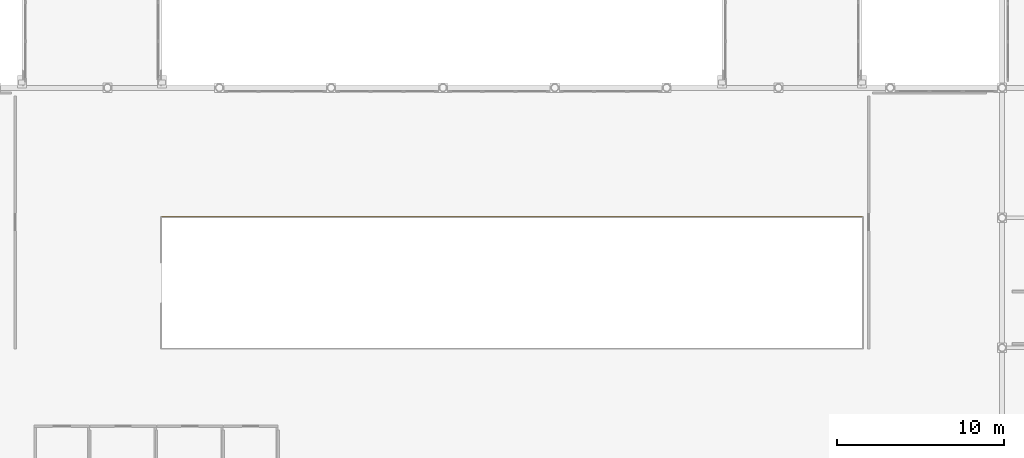
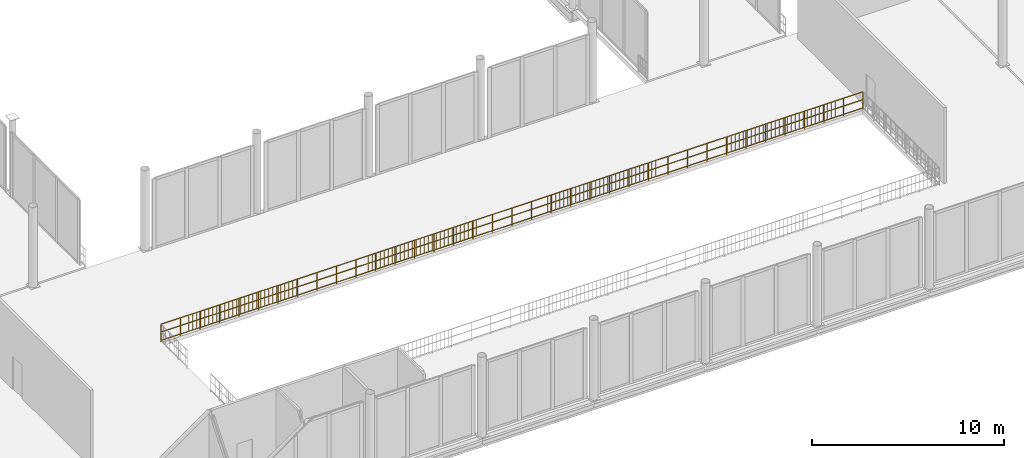
# One storey, part 97 of 105: 1 railing.
"""IFC4 building model written with IfcOpenShell, lengths in metres."""

from ifc_helpers import new_model, si_unit, direction, frame, origin, origin_2d, place, context, subcontext, project, spatial, circle, extrude, material, layer, layer_set, type_object, element, save


model = new_model("IFC4")

# Units and contexts
model_context = context("Model", 3, precision=1e-05, world=origin(), true_north=direction((0.0, 1.0)))
body_context = subcontext(model_context, "Body", "Model", "MODEL_VIEW")
ifc_project = project(units=[si_unit("LENGTHUNIT", "METRE"), si_unit("AREAUNIT", "SQUARE_METRE"), si_unit("VOLUMEUNIT", "CUBIC_METRE"), si_unit("PLANEANGLEUNIT", "RADIAN"), si_unit("MASSUNIT", "GRAM", prefix="KILO")], contexts=[model_context])

# Site, building, storey
site_placement = place(None, origin())
site = spatial("IfcSite", under=ifc_project, at=site_placement, CompositionType="ELEMENT")
building_placement = place(site_placement, origin())
building = spatial("IfcBuilding", under=site, at=building_placement, Name="Nabrawat Pavilion Hospital", CompositionType="ELEMENT")
storey_placement = place(building_placement, frame((0.0, 0.0, 5.10009765625)))
storey = spatial("IfcBuildingStorey", under=building, at=storey_placement, Name="L01", CompositionType="ELEMENT", Elevation=5.10009765625)

# Railing
ifc_material = material(Name="Laminated Toughened Glass and Stainless Steel", Category="steel")
ifc_layer = layer(ifc_material, 0.080078125, Name="Laminated Toughened Glass and Stainless Steel")
ifc_layer_set = layer_set([ifc_layer], Name="Laminated Toughened Glass and Stainless Steel")
railing_type = type_object("IfcRailingType", Name="Main Hall Atrium Void Glass Balustrade 1150", PredefinedType="BALUSTRADE", material=ifc_layer_set)
railing_placement = place(storey_placement, frame((75.5400390625, 31.260009765625, 0.0)))
element("IfcRailing", 1, at=railing_placement, inside=storey, type_object=railing_type, Name="L01 Main Hall Atrium Gallery Balustrade North", PredefinedType="BALUSTRADE", context=body_context, shape_type="SweptSolid", body=[
    extrude(circle(Radius=0.02392578125, at=origin_2d()), frame((0.0, 0.0, 1.1259765625), z_axis=(1.0, 0.0, 0.0), x_axis=(0.0, 1.0, 0.0)), (0.0, 0.0, 1.0), 42.119873046875),
    extrude(circle(Radius=0.02392578125, at=origin_2d()), frame((0.0, 0.0, 0.10009765625), z_axis=(1.0, 0.0, 0.0), x_axis=(0.0, 1.0, 0.0)), (0.0, 0.0, 1.0), 42.119873046875),
    extrude(circle(Radius=0.02392578125, at=origin_2d()), frame((0.0, 0.0, 0.63232421875), z_axis=(1.0, 0.0, 0.0), x_axis=(0.0, 1.0, 0.0)), (0.0, 0.0, 1.0), 42.119873046875),
    extrude(circle(Radius=0.008056640625, at=origin_2d()), frame((0.2392578125, 0.0, 0.10009765625)), (0.0, 0.0, 1.0), 1.001708984375),
    extrude(circle(Radius=0.008056640625, at=origin_2d()), frame((0.478515625, 0.0, 0.10009765625)), (0.0, 0.0, 1.0), 1.001708984375),
    extrude(circle(Radius=0.008056640625, at=origin_2d()), frame((0.718017578125, 0.0, 0.10009765625)), (0.0, 0.0, 1.0), 1.001708984375),
    extrude(circle(Radius=0.008056640625, at=origin_2d()), frame((0.957275390625, 0.0, 0.10009765625)), (0.0, 0.0, 1.0), 1.001708984375),
    extrude(circle(Radius=0.008056640625, at=origin_2d()), frame((1.435791015625, 0.0, 0.10009765625)), (0.0, 0.0, 1.0), 1.001708984375),
    extrude(circle(Radius=0.008056640625, at=origin_2d()), frame((1.67529296875, 0.0, 0.10009765625)), (0.0, 0.0, 1.0), 1.001708984375),
    extrude(circle(Radius=0.008056640625, at=origin_2d()), frame((1.91455078125, 0.0, 0.10009765625)), (0.0, 0.0, 1.0), 1.001708984375),
    extrude(circle(Radius=0.008056640625, at=origin_2d()), frame((2.15380859375, 0.0, 0.10009765625)), (0.0, 0.0, 1.0), 1.001708984375),
    extrude(circle(Radius=0.008056640625, at=origin_2d()), frame((2.39306640625, 0.0, 0.10009765625)), (0.0, 0.0, 1.0), 1.001708984375),
    extrude(circle(Radius=0.008056640625, at=origin_2d()), frame((2.632568359375, 0.0, 0.10009765625)), (0.0, 0.0, 1.0), 1.001708984375),
    extrude(circle(Radius=0.008056640625, at=origin_2d()), frame((2.871826171875, 0.0, 0.10009765625)), (0.0, 0.0, 1.0), 1.001708984375),
    extrude(circle(Radius=0.008056640625, at=origin_2d()), frame((3.111083984375, 0.0, 0.10009765625)), (0.0, 0.0, 1.0), 1.001708984375),
    extrude(circle(Radius=0.008056640625, at=origin_2d()), frame((3.350341796875, 0.0, 0.10009765625)), (0.0, 0.0, 1.0), 1.001708984375),
    extrude(circle(Radius=0.008056640625, at=origin_2d()), frame((3.58984375, 0.0, 0.10009765625)), (0.0, 0.0, 1.0), 1.001708984375),
    extrude(circle(Radius=0.008056640625, at=origin_2d()), frame((3.8291015625, 0.0, 0.10009765625)), (0.0, 0.0, 1.0), 1.001708984375),
    extrude(circle(Radius=0.008056640625, at=origin_2d()), frame((4.068359375, 0.0, 0.10009765625)), (0.0, 0.0, 1.0), 1.001708984375),
    extrude(circle(Radius=0.008056640625, at=origin_2d()), frame((4.3076171875, 0.0, 0.10009765625)), (0.0, 0.0, 1.0), 1.001708984375),
    extrude(circle(Radius=0.008056640625, at=origin_2d()), frame((4.547119140625, 0.0, 0.10009765625)), (0.0, 0.0, 1.0), 1.001708984375),
    extrude(circle(Radius=0.008056640625, at=origin_2d()), frame((4.786376953125, 0.0, 0.10009765625)), (0.0, 0.0, 1.0), 1.001708984375),
    extrude(circle(Radius=0.008056640625, at=origin_2d()), frame((5.025634765625, 0.0, 0.10009765625)), (0.0, 0.0, 1.0), 1.001708984375),
    extrude(circle(Radius=0.008056640625, at=origin_2d()), frame((5.264892578125, 0.0, 0.10009765625)), (0.0, 0.0, 1.0), 1.001708984375),
    extrude(circle(Radius=0.008056640625, at=origin_2d()), frame((5.50439453125, 0.0, 0.10009765625)), (0.0, 0.0, 1.0), 1.001708984375),
    extrude(circle(Radius=0.008056640625, at=origin_2d()), frame((5.74365234375, 0.0, 0.10009765625)), (0.0, 0.0, 1.0), 1.001708984375),
    extrude(circle(Radius=0.008056640625, at=origin_2d()), frame((5.98291015625, 0.0, 0.10009765625)), (0.0, 0.0, 1.0), 1.001708984375),
    extrude(circle(Radius=0.008056640625, at=origin_2d()), frame((6.22216796875, 0.0, 0.10009765625)), (0.0, 0.0, 1.0), 1.001708984375),
    extrude(circle(Radius=0.008056640625, at=origin_2d()), frame((6.461669921875, 0.0, 0.10009765625)), (0.0, 0.0, 1.0), 1.001708984375),
    extrude(circle(Radius=0.008056640625, at=origin_2d()), frame((6.700927734375, 0.0, 0.10009765625)), (0.0, 0.0, 1.0), 1.001708984375),
    extrude(circle(Radius=0.008056640625, at=origin_2d()), frame((6.940185546875, 0.0, 0.10009765625)), (0.0, 0.0, 1.0), 1.001708984375),
    extrude(circle(Radius=0.008056640625, at=origin_2d()), frame((7.179443359375, 0.0, 0.10009765625)), (0.0, 0.0, 1.0), 1.001708984375),
    extrude(circle(Radius=0.008056640625, at=origin_2d()), frame((7.4189453125, 0.0, 0.10009765625)), (0.0, 0.0, 1.0), 1.001708984375),
    extrude(circle(Radius=0.008056640625, at=origin_2d()), frame((7.658203125, 0.0, 0.10009765625)), (0.0, 0.0, 1.0), 1.001708984375),
    extrude(circle(Radius=0.008056640625, at=origin_2d()), frame((7.8974609375, 0.0, 0.10009765625)), (0.0, 0.0, 1.0), 1.001708984375),
    extrude(circle(Radius=0.008056640625, at=origin_2d()), frame((8.13671875, 0.0, 0.10009765625)), (0.0, 0.0, 1.0), 1.001708984375),
    extrude(circle(Radius=0.008056640625, at=origin_2d()), frame((8.376220703125, 0.0, 0.10009765625)), (0.0, 0.0, 1.0), 1.001708984375),
    extrude(circle(Radius=0.008056640625, at=origin_2d()), frame((8.615478515625, 0.0, 0.10009765625)), (0.0, 0.0, 1.0), 1.001708984375),
    extrude(circle(Radius=0.008056640625, at=origin_2d()), frame((8.854736328125, 0.0, 0.10009765625)), (0.0, 0.0, 1.0), 1.001708984375),
    extrude(circle(Radius=0.008056640625, at=origin_2d()), frame((9.093994140625, 0.0, 0.10009765625)), (0.0, 0.0, 1.0), 1.001708984375),
    extrude(circle(Radius=0.008056640625, at=origin_2d()), frame((9.57275390625, 0.0, 0.10009765625)), (0.0, 0.0, 1.0), 1.001708984375),
    extrude(circle(Radius=0.008056640625, at=origin_2d()), frame((9.81201171875, 0.0, 0.10009765625)), (0.0, 0.0, 1.0), 1.001708984375),
    extrude(circle(Radius=0.008056640625, at=origin_2d()), frame((10.05126953125, 0.0, 0.10009765625)), (0.0, 0.0, 1.0), 1.001708984375),
    extrude(circle(Radius=0.008056640625, at=origin_2d()), frame((10.290771484375, 0.0, 0.10009765625)), (0.0, 0.0, 1.0), 1.001708984375),
    extrude(circle(Radius=0.008056640625, at=origin_2d()), frame((10.769287109375, 0.0, 0.10009765625)), (0.0, 0.0, 1.0), 1.001708984375),
    extrude(circle(Radius=0.008056640625, at=origin_2d()), frame((11.008544921875, 0.0, 0.10009765625)), (0.0, 0.0, 1.0), 1.001708984375),
    extrude(circle(Radius=0.008056640625, at=origin_2d()), frame((11.247802734375, 0.0, 0.10009765625)), (0.0, 0.0, 1.0), 1.001708984375),
    extrude(circle(Radius=0.008056640625, at=origin_2d()), frame((11.4873046875, 0.0, 0.10009765625)), (0.0, 0.0, 1.0), 1.001708984375),
    extrude(circle(Radius=0.008056640625, at=origin_2d()), frame((11.9658203125, 0.0, 0.10009765625)), (0.0, 0.0, 1.0), 1.001708984375),
    extrude(circle(Radius=0.008056640625, at=origin_2d()), frame((12.205078125, 0.0, 0.10009765625)), (0.0, 0.0, 1.0), 1.001708984375),
    extrude(circle(Radius=0.008056640625, at=origin_2d()), frame((12.444580078125, 0.0, 0.10009765625)), (0.0, 0.0, 1.0), 1.001708984375),
    extrude(circle(Radius=0.008056640625, at=origin_2d()), frame((12.683837890625, 0.0, 0.10009765625)), (0.0, 0.0, 1.0), 1.001708984375),
    extrude(circle(Radius=0.008056640625, at=origin_2d()), frame((12.923095703125, 0.0, 0.10009765625)), (0.0, 0.0, 1.0), 1.001708984375),
    extrude(circle(Radius=0.008056640625, at=origin_2d()), frame((13.162353515625, 0.0, 0.10009765625)), (0.0, 0.0, 1.0), 1.001708984375),
    extrude(circle(Radius=0.008056640625, at=origin_2d()), frame((13.40185546875, 0.0, 0.10009765625)), (0.0, 0.0, 1.0), 1.001708984375),
    extrude(circle(Radius=0.008056640625, at=origin_2d()), frame((13.64111328125, 0.0, 0.10009765625)), (0.0, 0.0, 1.0), 1.001708984375),
    extrude(circle(Radius=0.008056640625, at=origin_2d()), frame((13.88037109375, 0.0, 0.10009765625)), (0.0, 0.0, 1.0), 1.001708984375),
    extrude(circle(Radius=0.008056640625, at=origin_2d()), frame((14.11962890625, 0.0, 0.10009765625)), (0.0, 0.0, 1.0), 1.001708984375),
    extrude(circle(Radius=0.008056640625, at=origin_2d()), frame((14.359130859375, 0.0, 0.10009765625)), (0.0, 0.0, 1.0), 1.001708984375),
    extrude(circle(Radius=0.008056640625, at=origin_2d()), frame((14.598388671875, 0.0, 0.10009765625)), (0.0, 0.0, 1.0), 1.001708984375),
    extrude(circle(Radius=0.008056640625, at=origin_2d()), frame((14.837646484375, 0.0, 0.10009765625)), (0.0, 0.0, 1.0), 1.001708984375),
    extrude(circle(Radius=0.008056640625, at=origin_2d()), frame((15.076904296875, 0.0, 0.10009765625)), (0.0, 0.0, 1.0), 1.001708984375),
    extrude(circle(Radius=0.008056640625, at=origin_2d()), frame((15.31640625, 0.0, 0.10009765625)), (0.0, 0.0, 1.0), 1.001708984375),
    extrude(circle(Radius=0.008056640625, at=origin_2d()), frame((15.5556640625, 0.0, 0.10009765625)), (0.0, 0.0, 1.0), 1.001708984375),
    extrude(circle(Radius=0.008056640625, at=origin_2d()), frame((15.794921875, 0.0, 0.10009765625)), (0.0, 0.0, 1.0), 1.001708984375),
    extrude(circle(Radius=0.008056640625, at=origin_2d()), frame((16.0341796875, 0.0, 0.10009765625)), (0.0, 0.0, 1.0), 1.001708984375),
    extrude(circle(Radius=0.008056640625, at=origin_2d()), frame((16.273681640625, 0.0, 0.10009765625)), (0.0, 0.0, 1.0), 1.001708984375),
    extrude(circle(Radius=0.008056640625, at=origin_2d()), frame((16.512939453125, 0.0, 0.10009765625)), (0.0, 0.0, 1.0), 1.001708984375),
    extrude(circle(Radius=0.008056640625, at=origin_2d()), frame((16.752197265625, 0.0, 0.10009765625)), (0.0, 0.0, 1.0), 1.001708984375),
    extrude(circle(Radius=0.008056640625, at=origin_2d()), frame((16.991455078125, 0.0, 0.10009765625)), (0.0, 0.0, 1.0), 1.001708984375),
    extrude(circle(Radius=0.008056640625, at=origin_2d()), frame((17.23095703125, 0.0, 0.10009765625)), (0.0, 0.0, 1.0), 1.001708984375),
    extrude(circle(Radius=0.008056640625, at=origin_2d()), frame((17.47021484375, 0.0, 0.10009765625)), (0.0, 0.0, 1.0), 1.001708984375),
    extrude(circle(Radius=0.008056640625, at=origin_2d()), frame((17.70947265625, 0.0, 0.10009765625)), (0.0, 0.0, 1.0), 1.001708984375),
    extrude(circle(Radius=0.008056640625, at=origin_2d()), frame((17.94873046875, 0.0, 0.10009765625)), (0.0, 0.0, 1.0), 1.001708984375),
    extrude(circle(Radius=0.008056640625, at=origin_2d()), frame((18.188232421875, 0.0, 0.10009765625)), (0.0, 0.0, 1.0), 1.001708984375),
    extrude(circle(Radius=0.008056640625, at=origin_2d()), frame((18.427490234375, 0.0, 0.10009765625)), (0.0, 0.0, 1.0), 1.001708984375),
    extrude(circle(Radius=0.008056640625, at=origin_2d()), frame((18.666748046875, 0.0, 0.10009765625)), (0.0, 0.0, 1.0), 1.001708984375),
    extrude(circle(Radius=0.008056640625, at=origin_2d()), frame((18.906005859375, 0.0, 0.10009765625)), (0.0, 0.0, 1.0), 1.001708984375),
    extrude(circle(Radius=0.008056640625, at=origin_2d()), frame((19.1455078125, 0.0, 0.10009765625)), (0.0, 0.0, 1.0), 1.001708984375),
    extrude(circle(Radius=0.008056640625, at=origin_2d()), frame((19.384765625, 0.0, 0.10009765625)), (0.0, 0.0, 1.0), 1.001708984375),
    extrude(circle(Radius=0.008056640625, at=origin_2d()), frame((19.6240234375, 0.0, 0.10009765625)), (0.0, 0.0, 1.0), 1.001708984375),
    extrude(circle(Radius=0.008056640625, at=origin_2d()), frame((20.102783203125, 0.0, 0.10009765625)), (0.0, 0.0, 1.0), 1.001708984375),
    extrude(circle(Radius=0.008056640625, at=origin_2d()), frame((20.342041015625, 0.0, 0.10009765625)), (0.0, 0.0, 1.0), 1.001708984375),
    extrude(circle(Radius=0.008056640625, at=origin_2d()), frame((20.581298828125, 0.0, 0.10009765625)), (0.0, 0.0, 1.0), 1.001708984375),
    extrude(circle(Radius=0.008056640625, at=origin_2d()), frame((20.820556640625, 0.0, 0.10009765625)), (0.0, 0.0, 1.0), 1.001708984375),
    extrude(circle(Radius=0.008056640625, at=origin_2d()), frame((21.29931640625, 0.0, 0.10009765625)), (0.0, 0.0, 1.0), 1.001708984375),
    extrude(circle(Radius=0.008056640625, at=origin_2d()), frame((21.53857421875, 0.0, 0.10009765625)), (0.0, 0.0, 1.0), 1.001708984375),
    extrude(circle(Radius=0.008056640625, at=origin_2d()), frame((21.77783203125, 0.0, 0.10009765625)), (0.0, 0.0, 1.0), 1.001708984375),
    extrude(circle(Radius=0.008056640625, at=origin_2d()), frame((22.01708984375, 0.0, 0.10009765625)), (0.0, 0.0, 1.0), 1.001708984375),
    extrude(circle(Radius=0.008056640625, at=origin_2d()), frame((22.495849609375, 0.0, 0.10009765625)), (0.0, 0.0, 1.0), 1.001708984375),
    extrude(circle(Radius=0.008056640625, at=origin_2d()), frame((22.735107421875, 0.0, 0.10009765625)), (0.0, 0.0, 1.0), 1.001708984375),
    extrude(circle(Radius=0.008056640625, at=origin_2d()), frame((22.974365234375, 0.0, 0.10009765625)), (0.0, 0.0, 1.0), 1.001708984375),
    extrude(circle(Radius=0.008056640625, at=origin_2d()), frame((23.2138671875, 0.0, 0.10009765625)), (0.0, 0.0, 1.0), 1.001708984375),
    extrude(circle(Radius=0.008056640625, at=origin_2d()), frame((23.453125, 0.0, 0.10009765625)), (0.0, 0.0, 1.0), 1.001708984375),
    extrude(circle(Radius=0.008056640625, at=origin_2d()), frame((23.6923828125, 0.0, 0.10009765625)), (0.0, 0.0, 1.0), 1.001708984375),
    extrude(circle(Radius=0.008056640625, at=origin_2d()), frame((23.931640625, 0.0, 0.10009765625)), (0.0, 0.0, 1.0), 1.001708984375),
    extrude(circle(Radius=0.008056640625, at=origin_2d()), frame((24.171142578125, 0.0, 0.10009765625)), (0.0, 0.0, 1.0), 1.001708984375),
    extrude(circle(Radius=0.008056640625, at=origin_2d()), frame((24.410400390625, 0.0, 0.10009765625)), (0.0, 0.0, 1.0), 1.001708984375),
    extrude(circle(Radius=0.008056640625, at=origin_2d()), frame((24.649658203125, 0.0, 0.10009765625)), (0.0, 0.0, 1.0), 1.001708984375),
    extrude(circle(Radius=0.008056640625, at=origin_2d()), frame((24.888916015625, 0.0, 0.10009765625)), (0.0, 0.0, 1.0), 1.001708984375),
    extrude(circle(Radius=0.008056640625, at=origin_2d()), frame((25.12841796875, 0.0, 0.10009765625)), (0.0, 0.0, 1.0), 1.001708984375),
    extrude(circle(Radius=0.008056640625, at=origin_2d()), frame((25.36767578125, 0.0, 0.10009765625)), (0.0, 0.0, 1.0), 1.001708984375),
    extrude(circle(Radius=0.008056640625, at=origin_2d()), frame((25.60693359375, 0.0, 0.10009765625)), (0.0, 0.0, 1.0), 1.001708984375),
    extrude(circle(Radius=0.008056640625, at=origin_2d()), frame((25.84619140625, 0.0, 0.10009765625)), (0.0, 0.0, 1.0), 1.001708984375),
    extrude(circle(Radius=0.008056640625, at=origin_2d()), frame((26.085693359375, 0.0, 0.10009765625)), (0.0, 0.0, 1.0), 1.001708984375),
    extrude(circle(Radius=0.008056640625, at=origin_2d()), frame((26.324951171875, 0.0, 0.10009765625)), (0.0, 0.0, 1.0), 1.001708984375),
    extrude(circle(Radius=0.008056640625, at=origin_2d()), frame((26.564208984375, 0.0, 0.10009765625)), (0.0, 0.0, 1.0), 1.001708984375),
    extrude(circle(Radius=0.008056640625, at=origin_2d()), frame((26.803466796875, 0.0, 0.10009765625)), (0.0, 0.0, 1.0), 1.001708984375),
    extrude(circle(Radius=0.008056640625, at=origin_2d()), frame((27.04296875, 0.0, 0.10009765625)), (0.0, 0.0, 1.0), 1.001708984375),
    extrude(circle(Radius=0.008056640625, at=origin_2d()), frame((27.2822265625, 0.0, 0.10009765625)), (0.0, 0.0, 1.0), 1.001708984375),
    extrude(circle(Radius=0.008056640625, at=origin_2d()), frame((27.521484375, 0.0, 0.10009765625)), (0.0, 0.0, 1.0), 1.001708984375),
    extrude(circle(Radius=0.008056640625, at=origin_2d()), frame((27.7607421875, 0.0, 0.10009765625)), (0.0, 0.0, 1.0), 1.001708984375),
    extrude(circle(Radius=0.008056640625, at=origin_2d()), frame((28.000244140625, 0.0, 0.10009765625)), (0.0, 0.0, 1.0), 1.001708984375),
    extrude(circle(Radius=0.008056640625, at=origin_2d()), frame((28.239501953125, 0.0, 0.10009765625)), (0.0, 0.0, 1.0), 1.001708984375),
    extrude(circle(Radius=0.008056640625, at=origin_2d()), frame((28.478759765625, 0.0, 0.10009765625)), (0.0, 0.0, 1.0), 1.001708984375),
    extrude(circle(Radius=0.008056640625, at=origin_2d()), frame((28.718017578125, 0.0, 0.10009765625)), (0.0, 0.0, 1.0), 1.001708984375),
    extrude(circle(Radius=0.008056640625, at=origin_2d()), frame((28.95751953125, 0.0, 0.10009765625)), (0.0, 0.0, 1.0), 1.001708984375),
    extrude(circle(Radius=0.008056640625, at=origin_2d()), frame((29.19677734375, 0.0, 0.10009765625)), (0.0, 0.0, 1.0), 1.001708984375),
    extrude(circle(Radius=0.008056640625, at=origin_2d()), frame((29.43603515625, 0.0, 0.10009765625)), (0.0, 0.0, 1.0), 1.001708984375),
    extrude(circle(Radius=0.008056640625, at=origin_2d()), frame((29.67529296875, 0.0, 0.10009765625)), (0.0, 0.0, 1.0), 1.001708984375),
    extrude(circle(Radius=0.008056640625, at=origin_2d()), frame((29.914794921875, 0.0, 0.10009765625)), (0.0, 0.0, 1.0), 1.001708984375),
    extrude(circle(Radius=0.008056640625, at=origin_2d()), frame((30.154052734375, 0.0, 0.10009765625)), (0.0, 0.0, 1.0), 1.001708984375),
    extrude(circle(Radius=0.008056640625, at=origin_2d()), frame((30.632568359375, 0.0, 0.10009765625)), (0.0, 0.0, 1.0), 1.001708984375),
    extrude(circle(Radius=0.008056640625, at=origin_2d()), frame((30.8720703125, 0.0, 0.10009765625)), (0.0, 0.0, 1.0), 1.001708984375),
    extrude(circle(Radius=0.008056640625, at=origin_2d()), frame((31.111328125, 0.0, 0.10009765625)), (0.0, 0.0, 1.0), 1.001708984375),
    extrude(circle(Radius=0.008056640625, at=origin_2d()), frame((31.3505859375, 0.0, 0.10009765625)), (0.0, 0.0, 1.0), 1.001708984375),
    extrude(circle(Radius=0.008056640625, at=origin_2d()), frame((31.8291015625, 0.0, 0.10009765625)), (0.0, 0.0, 1.0), 1.001708984375),
    extrude(circle(Radius=0.008056640625, at=origin_2d()), frame((32.068603515625, 0.0, 0.10009765625)), (0.0, 0.0, 1.0), 1.001708984375),
    extrude(circle(Radius=0.008056640625, at=origin_2d()), frame((32.307861328125, 0.0, 0.10009765625)), (0.0, 0.0, 1.0), 1.001708984375),
    extrude(circle(Radius=0.008056640625, at=origin_2d()), frame((32.547119140625, 0.0, 0.10009765625)), (0.0, 0.0, 1.0), 1.001708984375),
    extrude(circle(Radius=0.008056640625, at=origin_2d()), frame((33.02587890625, 0.0, 0.10009765625)), (0.0, 0.0, 1.0), 1.001708984375),
    extrude(circle(Radius=0.008056640625, at=origin_2d()), frame((33.26513671875, 0.0, 0.10009765625)), (0.0, 0.0, 1.0), 1.001708984375),
    extrude(circle(Radius=0.008056640625, at=origin_2d()), frame((33.50439453125, 0.0, 0.10009765625)), (0.0, 0.0, 1.0), 1.001708984375),
    extrude(circle(Radius=0.008056640625, at=origin_2d()), frame((33.74365234375, 0.0, 0.10009765625)), (0.0, 0.0, 1.0), 1.001708984375),
    extrude(circle(Radius=0.008056640625, at=origin_2d()), frame((33.983154296875, 0.0, 0.10009765625)), (0.0, 0.0, 1.0), 1.001708984375),
    extrude(circle(Radius=0.008056640625, at=origin_2d()), frame((34.222412109375, 0.0, 0.10009765625)), (0.0, 0.0, 1.0), 1.001708984375),
    extrude(circle(Radius=0.008056640625, at=origin_2d()), frame((34.461669921875, 0.0, 0.10009765625)), (0.0, 0.0, 1.0), 1.001708984375),
    extrude(circle(Radius=0.008056640625, at=origin_2d()), frame((34.700927734375, 0.0, 0.10009765625)), (0.0, 0.0, 1.0), 1.001708984375),
    extrude(circle(Radius=0.008056640625, at=origin_2d()), frame((34.9404296875, 0.0, 0.10009765625)), (0.0, 0.0, 1.0), 1.001708984375),
    extrude(circle(Radius=0.008056640625, at=origin_2d()), frame((35.1796875, 0.0, 0.10009765625)), (0.0, 0.0, 1.0), 1.001708984375),
    extrude(circle(Radius=0.008056640625, at=origin_2d()), frame((35.4189453125, 0.0, 0.10009765625)), (0.0, 0.0, 1.0), 1.001708984375),
    extrude(circle(Radius=0.008056640625, at=origin_2d()), frame((35.658203125, 0.0, 0.10009765625)), (0.0, 0.0, 1.0), 1.001708984375),
    extrude(circle(Radius=0.008056640625, at=origin_2d()), frame((35.897705078125, 0.0, 0.10009765625)), (0.0, 0.0, 1.0), 1.001708984375),
    extrude(circle(Radius=0.008056640625, at=origin_2d()), frame((36.136962890625, 0.0, 0.10009765625)), (0.0, 0.0, 1.0), 1.001708984375),
    extrude(circle(Radius=0.008056640625, at=origin_2d()), frame((36.376220703125, 0.0, 0.10009765625)), (0.0, 0.0, 1.0), 1.001708984375),
    extrude(circle(Radius=0.008056640625, at=origin_2d()), frame((36.615478515625, 0.0, 0.10009765625)), (0.0, 0.0, 1.0), 1.001708984375),
    extrude(circle(Radius=0.008056640625, at=origin_2d()), frame((36.85498046875, 0.0, 0.10009765625)), (0.0, 0.0, 1.0), 1.001708984375),
    extrude(circle(Radius=0.008056640625, at=origin_2d()), frame((37.09423828125, 0.0, 0.10009765625)), (0.0, 0.0, 1.0), 1.001708984375),
    extrude(circle(Radius=0.008056640625, at=origin_2d()), frame((37.33349609375, 0.0, 0.10009765625)), (0.0, 0.0, 1.0), 1.001708984375),
    extrude(circle(Radius=0.008056640625, at=origin_2d()), frame((37.57275390625, 0.0, 0.10009765625)), (0.0, 0.0, 1.0), 1.001708984375),
    extrude(circle(Radius=0.008056640625, at=origin_2d()), frame((37.812255859375, 0.0, 0.10009765625)), (0.0, 0.0, 1.0), 1.001708984375),
    extrude(circle(Radius=0.008056640625, at=origin_2d()), frame((38.051513671875, 0.0, 0.10009765625)), (0.0, 0.0, 1.0), 1.001708984375),
    extrude(circle(Radius=0.008056640625, at=origin_2d()), frame((38.290771484375, 0.0, 0.10009765625)), (0.0, 0.0, 1.0), 1.001708984375),
    extrude(circle(Radius=0.008056640625, at=origin_2d()), frame((38.530029296875, 0.0, 0.10009765625)), (0.0, 0.0, 1.0), 1.001708984375),
    extrude(circle(Radius=0.008056640625, at=origin_2d()), frame((38.76953125, 0.0, 0.10009765625)), (0.0, 0.0, 1.0), 1.001708984375),
    extrude(circle(Radius=0.008056640625, at=origin_2d()), frame((39.0087890625, 0.0, 0.10009765625)), (0.0, 0.0, 1.0), 1.001708984375),
    extrude(circle(Radius=0.008056640625, at=origin_2d()), frame((39.248046875, 0.0, 0.10009765625)), (0.0, 0.0, 1.0), 1.001708984375),
    extrude(circle(Radius=0.008056640625, at=origin_2d()), frame((39.4873046875, 0.0, 0.10009765625)), (0.0, 0.0, 1.0), 1.001708984375),
    extrude(circle(Radius=0.008056640625, at=origin_2d()), frame((39.726806640625, 0.0, 0.10009765625)), (0.0, 0.0, 1.0), 1.001708984375),
    extrude(circle(Radius=0.008056640625, at=origin_2d()), frame((39.966064453125, 0.0, 0.10009765625)), (0.0, 0.0, 1.0), 1.001708984375),
    extrude(circle(Radius=0.008056640625, at=origin_2d()), frame((40.205322265625, 0.0, 0.10009765625)), (0.0, 0.0, 1.0), 1.001708984375),
    extrude(circle(Radius=0.008056640625, at=origin_2d()), frame((40.444580078125, 0.0, 0.10009765625)), (0.0, 0.0, 1.0), 1.001708984375),
    extrude(circle(Radius=0.008056640625, at=origin_2d()), frame((40.68408203125, 0.0, 0.10009765625)), (0.0, 0.0, 1.0), 1.001708984375),
    extrude(circle(Radius=0.008056640625, at=origin_2d()), frame((41.16259765625, 0.0, 0.10009765625)), (0.0, 0.0, 1.0), 1.001708984375),
    extrude(circle(Radius=0.008056640625, at=origin_2d()), frame((41.40185546875, 0.0, 0.10009765625)), (0.0, 0.0, 1.0), 1.001708984375),
    extrude(circle(Radius=0.008056640625, at=origin_2d()), frame((41.641357421875, 0.0, 0.10009765625)), (0.0, 0.0, 1.0), 1.001708984375),
    extrude(circle(Radius=0.008056640625, at=origin_2d()), frame((41.880615234375, 0.0, 0.10009765625)), (0.0, 0.0, 1.0), 1.001708984375),
    extrude(circle(Radius=0.02099609375, at=origin_2d()), origin(), (0.0, 0.0, 1.0), 1.101806640625),
    extrude(circle(Radius=0.02099609375, at=origin_2d()), frame((1.169921875, 0.0, 0.0)), (0.0, 0.0, 1.0), 1.101806640625),
    extrude(circle(Radius=0.02099609375, at=origin_2d()), frame((2.340087890625, 0.0, 0.0)), (0.0, 0.0, 1.0), 1.101806640625),
    extrude(circle(Radius=0.02099609375, at=origin_2d()), frame((3.510009765625, 0.0, 0.0)), (0.0, 0.0, 1.0), 1.101806640625),
    extrude(circle(Radius=0.02099609375, at=origin_2d()), frame((4.679931640625, 0.0, 0.0)), (0.0, 0.0, 1.0), 1.101806640625),
    extrude(circle(Radius=0.02099609375, at=origin_2d()), frame((5.85009765625, 0.0, 0.0)), (0.0, 0.0, 1.0), 1.101806640625),
    extrude(circle(Radius=0.02099609375, at=origin_2d()), frame((7.02001953125, 0.0, 0.0)), (0.0, 0.0, 1.0), 1.101806640625),
    extrude(circle(Radius=0.02099609375, at=origin_2d()), frame((8.18994140625, 0.0, 0.0)), (0.0, 0.0, 1.0), 1.101806640625),
    extrude(circle(Radius=0.02099609375, at=origin_2d()), frame((9.35986328125, 0.0, 0.0)), (0.0, 0.0, 1.0), 1.101806640625),
    extrude(circle(Radius=0.02099609375, at=origin_2d()), frame((10.530029296875, 0.0, 0.0)), (0.0, 0.0, 1.0), 1.101806640625),
    extrude(circle(Radius=0.02099609375, at=origin_2d()), frame((11.699951171875, 0.0, 0.0)), (0.0, 0.0, 1.0), 1.101806640625),
    extrude(circle(Radius=0.02099609375, at=origin_2d()), frame((12.869873046875, 0.0, 0.0)), (0.0, 0.0, 1.0), 1.101806640625),
    extrude(circle(Radius=0.02099609375, at=origin_2d()), frame((14.0400390625, 0.0, 0.0)), (0.0, 0.0, 1.0), 1.101806640625),
    extrude(circle(Radius=0.02099609375, at=origin_2d()), frame((15.2099609375, 0.0, 0.0)), (0.0, 0.0, 1.0), 1.101806640625),
    extrude(circle(Radius=0.02099609375, at=origin_2d()), frame((16.3798828125, 0.0, 0.0)), (0.0, 0.0, 1.0), 1.101806640625),
    extrude(circle(Radius=0.02099609375, at=origin_2d()), frame((17.550048828125, 0.0, 0.0)), (0.0, 0.0, 1.0), 1.101806640625),
    extrude(circle(Radius=0.02099609375, at=origin_2d()), frame((18.719970703125, 0.0, 0.0)), (0.0, 0.0, 1.0), 1.101806640625),
    extrude(circle(Radius=0.02099609375, at=origin_2d()), frame((19.889892578125, 0.0, 0.0)), (0.0, 0.0, 1.0), 1.101806640625),
    extrude(circle(Radius=0.02099609375, at=origin_2d()), frame((21.06005859375, 0.0, 0.0)), (0.0, 0.0, 1.0), 1.101806640625),
    extrude(circle(Radius=0.02099609375, at=origin_2d()), frame((22.22998046875, 0.0, 0.0)), (0.0, 0.0, 1.0), 1.101806640625),
    extrude(circle(Radius=0.02099609375, at=origin_2d()), frame((23.39990234375, 0.0, 0.0)), (0.0, 0.0, 1.0), 1.101806640625),
    extrude(circle(Radius=0.02099609375, at=origin_2d()), frame((24.56982421875, 0.0, 0.0)), (0.0, 0.0, 1.0), 1.101806640625),
    extrude(circle(Radius=0.02099609375, at=origin_2d()), frame((25.739990234375, 0.0, 0.0)), (0.0, 0.0, 1.0), 1.101806640625),
    extrude(circle(Radius=0.02099609375, at=origin_2d()), frame((26.909912109375, 0.0, 0.0)), (0.0, 0.0, 1.0), 1.101806640625),
    extrude(circle(Radius=0.02099609375, at=origin_2d()), frame((28.079833984375, 0.0, 0.0)), (0.0, 0.0, 1.0), 1.101806640625),
    extrude(circle(Radius=0.02099609375, at=origin_2d()), frame((29.25, 0.0, 0.0)), (0.0, 0.0, 1.0), 1.101806640625),
    extrude(circle(Radius=0.02099609375, at=origin_2d()), frame((30.419921875, 0.0, 0.0)), (0.0, 0.0, 1.0), 1.101806640625),
    extrude(circle(Radius=0.02099609375, at=origin_2d()), frame((31.58984375, 0.0, 0.0)), (0.0, 0.0, 1.0), 1.101806640625),
    extrude(circle(Radius=0.02099609375, at=origin_2d()), frame((32.760009765625, 0.0, 0.0)), (0.0, 0.0, 1.0), 1.101806640625),
    extrude(circle(Radius=0.02099609375, at=origin_2d()), frame((33.929931640625, 0.0, 0.0)), (0.0, 0.0, 1.0), 1.101806640625),
    extrude(circle(Radius=0.02099609375, at=origin_2d()), frame((35.099853515625, 0.0, 0.0)), (0.0, 0.0, 1.0), 1.101806640625),
    extrude(circle(Radius=0.02099609375, at=origin_2d()), frame((36.269775390625, 0.0, 0.0)), (0.0, 0.0, 1.0), 1.101806640625),
    extrude(circle(Radius=0.02099609375, at=origin_2d()), frame((37.43994140625, 0.0, 0.0)), (0.0, 0.0, 1.0), 1.101806640625),
    extrude(circle(Radius=0.02099609375, at=origin_2d()), frame((38.60986328125, 0.0, 0.0)), (0.0, 0.0, 1.0), 1.101806640625),
    extrude(circle(Radius=0.02099609375, at=origin_2d()), frame((39.77978515625, 0.0, 0.0)), (0.0, 0.0, 1.0), 1.101806640625),
    extrude(circle(Radius=0.02099609375, at=origin_2d()), frame((40.949951171875, 0.0, 0.0)), (0.0, 0.0, 1.0), 1.101806640625),
    extrude(circle(Radius=0.02099609375, at=origin_2d()), frame((42.119873046875, 0.0, 0.0)), (0.0, 0.0, 1.0), 1.101806640625),
])

save(model, "model.ifc")
